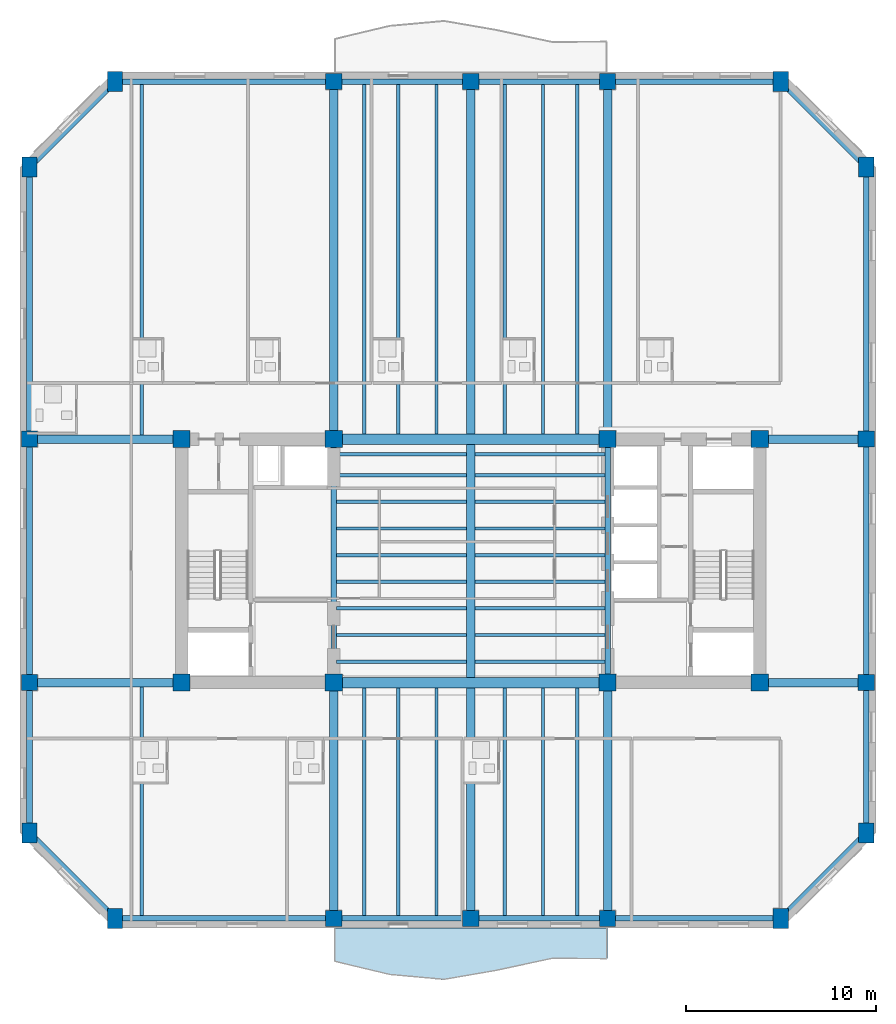
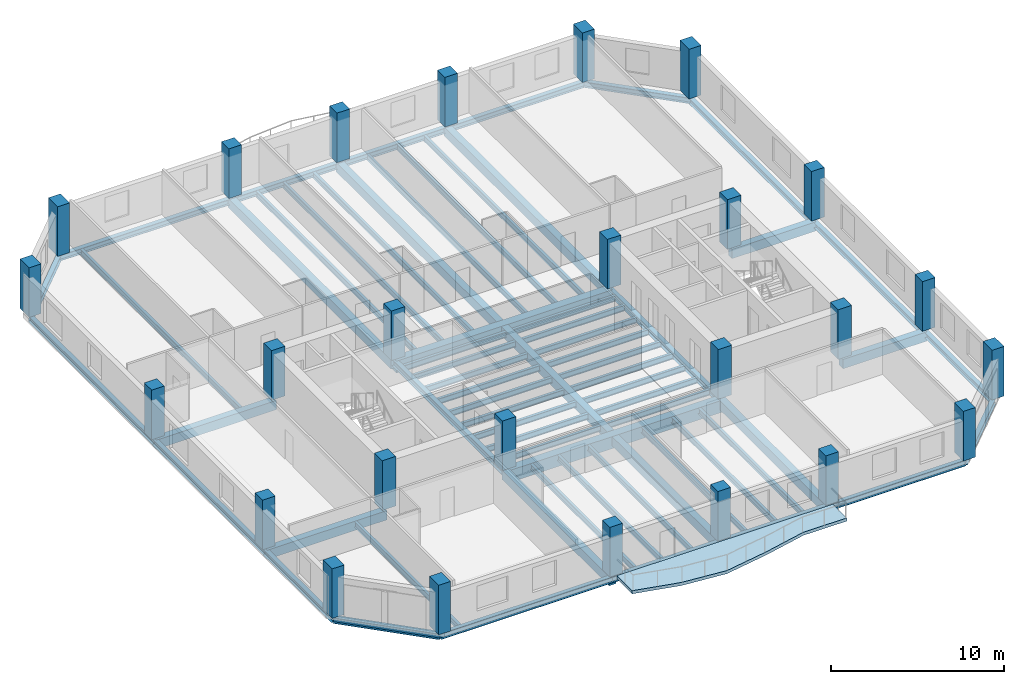
# One storey, part 1 of 11: 65 beams, 26 columns, 1 slab.
"""IFC4 building model written with IfcOpenShell, lengths in metres."""

from ifc_helpers import new_model, si_unit, direction, frame, origin, origin_2d, place, context, subcontext, project, spatial, polyline, rectangle, i_section, outline, extrude, material, layer, layer_set, material_profile, profile_set, type_object, element, save


model = new_model("IFC4")

# Units and contexts
model_context = context("Model", 3, precision=1e-05, world=origin(), true_north=direction((0.0, 1.0)))
body_context = subcontext(model_context, "Body", "Model", "MODEL_VIEW")
ifc_project = project(units=[si_unit("LENGTHUNIT", "METRE"), si_unit("AREAUNIT", "SQUARE_METRE"), si_unit("VOLUMEUNIT", "CUBIC_METRE"), si_unit("PLANEANGLEUNIT", "RADIAN"), si_unit("MASSUNIT", "GRAM", prefix="KILO")], contexts=[model_context])

# Site, building, storey
site_placement = place(None, origin())
site = spatial("IfcSite", under=ifc_project, at=site_placement, CompositionType="ELEMENT")
building_placement = place(site_placement, origin())
building = spatial("IfcBuilding", under=site, at=building_placement, Name="Kranthara Brick Stack", CompositionType="ELEMENT")
storey_placement = place(building_placement, frame((0.0, 0.0, 190.300048828125)))
storey = spatial("IfcBuildingStorey", under=building, at=storey_placement, Name="L49", CompositionType="ELEMENT", Elevation=190.300048828125)

# Columns
ifc_material_1 = material(Name="Concrete C60/75", Category="concrete")
ifc_material_profile_1 = material_profile(ifc_material_1, rectangle(XDim=0.800048828125, YDim=1.050048828125, at=origin_2d()), Name="RC 800x1050")
ifc_profile_set_1 = profile_set([ifc_material_profile_1], Name="Concrete C60/75")
column_type_1 = type_object("IfcColumnType", Name="COL-CHAM-800x1050", PredefinedType="COLUMN", material=ifc_profile_set_1)
for number, where, z_axis, x_axis, name in (
    (1, (9.300048828125, 8.39990234375, 0.0), (0.0, 0.0, 1.0), (1.0, 0.0, 0.0), "L49 Column 09"),
    (2, (9.300048828125, 52.39990234375, 0.0), (0.0, 0.0, 1.0), (1.0, 0.0, 0.0), "L49 Column 10"),
    (3, (44.300048828125, 8.39990234375, 0.0), (0.0, 0.0, 1.0), (1.0, 0.0, 0.0), "L49 Column 17"),
    (4, (44.300048828125, 52.39990234375, 0.0), (0.0, 0.0, 1.0), (1.0, 0.0, 0.0), "L49 Column 18"),
    (5, (4.800048828125, 12.89990234375, 0.0), (0.0, 0.0, 1.0), (1.0, 0.0, 0.0), "L49 Column 19"),
    (6, (48.800048828125, 12.89990234375, 0.0), (0.0, 0.0, 1.0), (1.0, 0.0, 0.0), "L49 Column 20"),
    (7, (4.800048828125, 47.89990234375, 0.0), (0.0, 0.0, 1.0), (1.0, 0.0, 0.0), "L49 Column 25"),
    (8, (48.800048828125, 47.89990234375, 0.0), (0.0, 0.0, 1.0), (1.0, 0.0, 0.0), "L49 Column 26"),
):
    element("IfcColumn", number, at=place(storey_placement, frame(where, z_axis=z_axis, x_axis=x_axis)), inside=storey, type_object=column_type_1, Name=name, PredefinedType="COLUMN", context=body_context, shape_type="SweptSolid", body=[
        extrude(rectangle(XDim=0.800048828125, YDim=1.050048828125, at=origin_2d()), origin(), (0.0, 0.0, 1.0), 3.5),
    ])
ifc_material_2 = material(Name="Concrete C60/75", Category="concrete")
ifc_material_profile_2 = material_profile(ifc_material_2, rectangle(XDim=0.89990234375, YDim=0.89990234375, at=origin_2d()), Name="RC 900x900")
ifc_profile_set_2 = profile_set([ifc_material_profile_2], Name="Concrete C60/75")
column_type_2 = type_object("IfcColumnType", Name="COL-CORE-900", PredefinedType="COLUMN", material=ifc_profile_set_2)
for number, where, z_axis, x_axis, name in (
    (9, (12.800048828125, 20.800048828125, 0.0), (0.0, 0.0, 1.0), (1.0, 0.0, 0.0), "L49 Column 01"),
    (10, (20.800048828125, 20.800048828125, 0.0), (0.0, 0.0, 1.0), (1.0, 0.0, 0.0), "L49 Column 02"),
    (11, (12.800048828125, 33.60009765625, 0.0), (0.0, 0.0, 1.0), (1.0, 0.0, 0.0), "L49 Column 03"),
    (12, (20.800048828125, 33.60009765625, 0.0), (0.0, 0.0, 1.0), (1.0, 0.0, 0.0), "L49 Column 04"),
    (13, (35.199951171875, 20.800048828125, 0.0), (0.0, 0.0, 1.0), (1.0, 0.0, 0.0), "L49 Column 05"),
    (14, (43.199951171875, 20.800048828125, 0.0), (0.0, 0.0, 1.0), (1.0, 0.0, 0.0), "L49 Column 06"),
    (15, (35.199951171875, 33.60009765625, 0.0), (0.0, 0.0, 1.0), (1.0, 0.0, 0.0), "L49 Column 07"),
    (16, (43.199951171875, 33.60009765625, 0.0), (0.0, 0.0, 1.0), (1.0, 0.0, 0.0), "L49 Column 08"),
):
    element("IfcColumn", number, at=place(storey_placement, frame(where, z_axis=z_axis, x_axis=x_axis)), inside=storey, type_object=column_type_2, Name=name, PredefinedType="COLUMN", context=body_context, shape_type="SweptSolid", body=[
        extrude(rectangle(XDim=0.89990234375, YDim=0.89990234375, at=origin_2d()), origin(), (0.0, 0.0, 1.0), 3.5),
    ])
ifc_material_3 = material(Name="Concrete C50/60", Category="concrete")
ifc_material_profile_3 = material_profile(ifc_material_3, rectangle(XDim=0.85009765625, YDim=0.85009765625, at=origin_2d()), Name="RC 850x850")
ifc_profile_set_3 = profile_set([ifc_material_profile_3], Name="Concrete C50/60")
column_type_3 = type_object("IfcColumnType", Name="COL-PER-850", PredefinedType="COLUMN", material=ifc_profile_set_3)
for number, where, z_axis, x_axis, name in (
    (17, (20.800048828125, 8.39990234375, 0.0), (0.0, 0.0, 1.0), (1.0, 0.0, 0.0), "L49 Column 11"),
    (18, (20.800048828125, 52.39990234375, 0.0), (0.0, 0.0, 1.0), (1.0, 0.0, 0.0), "L49 Column 12"),
    (19, (28.0, 8.39990234375, 0.0), (0.0, 0.0, 1.0), (1.0, 0.0, 0.0), "L49 Column 13"),
    (20, (28.0, 52.39990234375, 0.0), (0.0, 0.0, 1.0), (1.0, 0.0, 0.0), "L49 Column 14"),
    (21, (35.199951171875, 8.39990234375, 0.0), (0.0, 0.0, 1.0), (1.0, 0.0, 0.0), "L49 Column 15"),
    (22, (35.199951171875, 52.39990234375, 0.0), (0.0, 0.0, 1.0), (1.0, 0.0, 0.0), "L49 Column 16"),
    (23, (4.800048828125, 20.800048828125, 0.0), (0.0, 0.0, 1.0), (1.0, 0.0, 0.0), "L49 Column 21"),
    (24, (48.800048828125, 20.800048828125, 0.0), (0.0, 0.0, 1.0), (1.0, 0.0, 0.0), "L49 Column 22"),
    (25, (4.800048828125, 33.60009765625, 0.0), (0.0, 0.0, 1.0), (1.0, 0.0, 0.0), "L49 Column 23"),
    (26, (48.800048828125, 33.60009765625, 0.0), (0.0, 0.0, 1.0), (1.0, 0.0, 0.0), "L49 Column 24"),
):
    element("IfcColumn", number, at=place(storey_placement, frame(where, z_axis=z_axis, x_axis=x_axis)), inside=storey, type_object=column_type_3, Name=name, PredefinedType="COLUMN", context=body_context, shape_type="SweptSolid", body=[
        extrude(rectangle(XDim=0.85009765625, YDim=0.85009765625, at=origin_2d()), origin(), (0.0, 0.0, 1.0), 3.5),
    ])

# Beams
ifc_material_4 = material(Name="Concrete C50/60", Category="concrete")
ifc_material_profile_4 = material_profile(ifc_material_4, rectangle(XDim=0.550048828125, YDim=0.85009765625, at=origin_2d()), Name="RC 550x850")
ifc_profile_set_4 = profile_set([ifc_material_profile_4], Name="Concrete C50/60")
beam_type_1 = type_object("IfcBeamType", Name="BM-CPL-RC850", PredefinedType="LINTEL", material=ifc_profile_set_4)
for number, where, z_axis, x_axis, name in (
    (27, (20.800048828125, 20.800048828125, -0.72509765625), (1.0, 0.0, 0.0), (0.0, 1.0, 0.0), "L49 Core Coupling Beam 001"),
    (28, (20.800048828125, 33.60009765625, -0.72509765625), (1.0, 0.0, 0.0), (0.0, 1.0, 0.0), "L49 Core Coupling Beam 002"),
):
    element("IfcBeam", number, at=place(storey_placement, frame(where, z_axis=z_axis, x_axis=x_axis)), inside=storey, type_object=beam_type_1, Name=name, PredefinedType="LINTEL", context=body_context, shape_type="SweptSolid", body=[
        extrude(rectangle(XDim=0.550048828125, YDim=0.85009765625, at=origin_2d()), origin(), (0.0, 0.0, 1.0), 14.39990234375),
    ])
ifc_material_5 = material(Name="Post-tensioned concrete C45/55", Category="concrete")
ifc_material_profile_5 = material_profile(ifc_material_5, rectangle(XDim=0.449951171875, YDim=0.64990234375, at=origin_2d()), Name="PT 450x650")
ifc_profile_set_5 = profile_set([ifc_material_profile_5], Name="Post-tensioned concrete C45/55")
beam_type_2 = type_object("IfcBeamType", Name="BM-FLR-PT650", PredefinedType="BEAM", material=ifc_profile_set_5)
beam_1_placement = place(storey_placement, frame((20.800048828125, 8.39990234375, -0.625), z_axis=(0.0, 1.0, 0.0), x_axis=(-1.0, 0.0, 0.0)))
element("IfcBeam", 29, at=beam_1_placement, inside=storey, type_object=beam_type_2, Name="L49 Primary Grid Girder 023", PredefinedType="BEAM", context=body_context, shape_type="SweptSolid", body=[
    extrude(rectangle(XDim=0.449951171875, YDim=0.64990234375, at=origin_2d()), origin(), (0.0, 0.0, 1.0), 12.400146484375),
])
beam_2_placement = place(storey_placement, frame((20.800048828125, 33.60009765625, -0.625), z_axis=(0.0, 1.0, 0.0), x_axis=(-1.0, 0.0, 0.0)))
element("IfcBeam", 30, at=beam_2_placement, inside=storey, type_object=beam_type_2, Name="L49 Primary Grid Girder 024", PredefinedType="BEAM", context=body_context, shape_type="SweptSolid", body=[
    extrude(rectangle(XDim=0.449951171875, YDim=0.64990234375, at=origin_2d()), origin(), (0.0, 0.0, 1.0), 18.7998046875),
])
beam_3_placement = place(storey_placement, frame((28.0, 8.39990234375, -0.625), z_axis=(0.0, 1.0, 0.0), x_axis=(-1.0, 0.0, 0.0)))
element("IfcBeam", 31, at=beam_3_placement, inside=storey, type_object=beam_type_2, Name="L49 Primary Grid Girder 025", PredefinedType="BEAM", context=body_context, shape_type="SweptSolid", body=[
    extrude(rectangle(XDim=0.449951171875, YDim=0.64990234375, at=origin_2d()), origin(), (0.0, 0.0, 1.0), 12.125),
])
beam_4_placement = place(storey_placement, frame((28.0, 21.074951171875, -0.625), z_axis=(0.0, 1.0, 0.0), x_axis=(-1.0, 0.0, 0.0)))
element("IfcBeam", 32, at=beam_4_placement, inside=storey, type_object=beam_type_2, Name="L49 Central Spine Girder 026", PredefinedType="BEAM", context=body_context, shape_type="SweptSolid", body=[
    extrude(rectangle(XDim=0.449951171875, YDim=0.64990234375, at=origin_2d()), origin(), (0.0, 0.0, 1.0), 12.25),
])
beam_5_placement = place(storey_placement, frame((28.0, 33.875, -0.625), z_axis=(0.0, 1.0, 0.0), x_axis=(-1.0, 0.0, 0.0)))
element("IfcBeam", 33, at=beam_5_placement, inside=storey, type_object=beam_type_2, Name="L49 Primary Grid Girder 027", PredefinedType="BEAM", context=body_context, shape_type="SweptSolid", body=[
    extrude(rectangle(XDim=0.449951171875, YDim=0.64990234375, at=origin_2d()), origin(), (0.0, 0.0, 1.0), 18.52490234375),
])
beam_6_placement = place(storey_placement, frame((35.199951171875, 8.39990234375, -0.625), z_axis=(0.0, 1.0, 0.0), x_axis=(-1.0, 0.0, 0.0)))
element("IfcBeam", 34, at=beam_6_placement, inside=storey, type_object=beam_type_2, Name="L49 Primary Grid Girder 028", PredefinedType="BEAM", context=body_context, shape_type="SweptSolid", body=[
    extrude(rectangle(XDim=0.449951171875, YDim=0.64990234375, at=origin_2d()), origin(), (0.0, 0.0, 1.0), 12.400146484375),
])
beam_7_placement = place(storey_placement, frame((35.199951171875, 33.60009765625, -0.625), z_axis=(0.0, 1.0, 0.0), x_axis=(-1.0, 0.0, 0.0)))
element("IfcBeam", 35, at=beam_7_placement, inside=storey, type_object=beam_type_2, Name="L49 Primary Grid Girder 029", PredefinedType="BEAM", context=body_context, shape_type="SweptSolid", body=[
    extrude(rectangle(XDim=0.449951171875, YDim=0.64990234375, at=origin_2d()), origin(), (0.0, 0.0, 1.0), 18.7998046875),
])
beam_8_placement = place(storey_placement, frame((4.800048828125, 20.800048828125, -0.625), z_axis=(1.0, 0.0, 0.0), x_axis=(0.0, 1.0, 0.0)))
element("IfcBeam", 36, at=beam_8_placement, inside=storey, type_object=beam_type_2, Name="L49 Primary Grid Girder 030", PredefinedType="BEAM", context=body_context, shape_type="SweptSolid", body=[
    extrude(rectangle(XDim=0.449951171875, YDim=0.64990234375, at=origin_2d()), origin(), (0.0, 0.0, 1.0), 8.0),
])
beam_9_placement = place(storey_placement, frame((43.199951171875, 20.800048828125, -0.625), z_axis=(1.0, 0.0, 0.0), x_axis=(0.0, 1.0, 0.0)))
element("IfcBeam", 37, at=beam_9_placement, inside=storey, type_object=beam_type_2, Name="L49 Primary Grid Girder 031", PredefinedType="BEAM", context=body_context, shape_type="SweptSolid", body=[
    extrude(rectangle(XDim=0.449951171875, YDim=0.64990234375, at=origin_2d()), origin(), (0.0, 0.0, 1.0), 5.60009765625),
])
beam_10_placement = place(storey_placement, frame((4.800048828125, 33.60009765625, -0.625), z_axis=(1.0, 0.0, 0.0), x_axis=(0.0, 1.0, 0.0)))
element("IfcBeam", 38, at=beam_10_placement, inside=storey, type_object=beam_type_2, Name="L49 Primary Grid Girder 032", PredefinedType="BEAM", context=body_context, shape_type="SweptSolid", body=[
    extrude(rectangle(XDim=0.449951171875, YDim=0.64990234375, at=origin_2d()), origin(), (0.0, 0.0, 1.0), 8.0),
])
beam_11_placement = place(storey_placement, frame((43.199951171875, 33.60009765625, -0.625), z_axis=(1.0, 0.0, 0.0), x_axis=(0.0, 1.0, 0.0)))
element("IfcBeam", 39, at=beam_11_placement, inside=storey, type_object=beam_type_2, Name="L49 Primary Grid Girder 033", PredefinedType="BEAM", context=body_context, shape_type="SweptSolid", body=[
    extrude(rectangle(XDim=0.449951171875, YDim=0.64990234375, at=origin_2d()), origin(), (0.0, 0.0, 1.0), 5.60009765625),
])
ifc_material_6 = material(Name="Steel S355", Category="steel")
ifc_material_profile_6 = material_profile(ifc_material_6, i_section(OverallWidth=0.179931640625, OverallDepth=0.39990234375, WebThickness=0.008544921875, FlangeThickness=0.013427734375, at=origin_2d()), Name="IPE 400")
ifc_profile_set_6 = profile_set([ifc_material_profile_6], Name="Steel S355")
beam_type_3 = type_object("IfcBeamType", Name="BM-JST-IPE400", PredefinedType="JOIST", material=ifc_profile_set_6)
for number, where, z_axis, x_axis, name in (
    (40, (20.949951171875, 21.89990234375, -0.5), (1.0, 0.0, 0.0), (0.0, 1.0, 0.0), "L49 Central Floor Joist 034"),
    (41, (28.22509765625, 21.89990234375, -0.5), (1.0, 0.0, 0.0), (0.0, 1.0, 0.0), "L49 Central Floor Joist 035"),
    (42, (20.949951171875, 23.300048828125, -0.5), (1.0, 0.0, 0.0), (0.0, 1.0, 0.0), "L49 Central Floor Joist 036"),
    (43, (28.22509765625, 23.300048828125, -0.5), (1.0, 0.0, 0.0), (0.0, 1.0, 0.0), "L49 Central Floor Joist 037"),
    (44, (20.949951171875, 24.699951171875, -0.5), (1.0, 0.0, 0.0), (0.0, 1.0, 0.0), "L49 Central Floor Joist 038"),
    (45, (28.22509765625, 24.699951171875, -0.5), (1.0, 0.0, 0.0), (0.0, 1.0, 0.0), "L49 Central Floor Joist 039"),
    (46, (20.949951171875, 26.10009765625, -0.5), (1.0, 0.0, 0.0), (0.0, 1.0, 0.0), "L49 Central Floor Joist 040"),
    (47, (28.22509765625, 26.10009765625, -0.5), (1.0, 0.0, 0.0), (0.0, 1.0, 0.0), "L49 Central Floor Joist 041"),
    (48, (20.949951171875, 27.5, -0.5), (1.0, 0.0, 0.0), (0.0, 1.0, 0.0), "L49 Central Floor Joist 042"),
    (49, (28.22509765625, 27.5, -0.5), (1.0, 0.0, 0.0), (0.0, 1.0, 0.0), "L49 Central Floor Joist 043"),
    (50, (20.949951171875, 28.89990234375, -0.5), (1.0, 0.0, 0.0), (0.0, 1.0, 0.0), "L49 Central Floor Joist 044"),
    (51, (28.22509765625, 28.89990234375, -0.5), (1.0, 0.0, 0.0), (0.0, 1.0, 0.0), "L49 Central Floor Joist 045"),
    (52, (20.949951171875, 30.300048828125, -0.5), (1.0, 0.0, 0.0), (0.0, 1.0, 0.0), "L49 Central Floor Joist 046"),
    (53, (28.22509765625, 30.300048828125, -0.5), (1.0, 0.0, 0.0), (0.0, 1.0, 0.0), "L49 Central Floor Joist 047"),
    (54, (20.949951171875, 31.699951171875, -0.5), (1.0, 0.0, 0.0), (0.0, 1.0, 0.0), "L49 Central Floor Joist 048"),
    (55, (28.22509765625, 31.699951171875, -0.5), (1.0, 0.0, 0.0), (0.0, 1.0, 0.0), "L49 Central Floor Joist 049"),
    (56, (20.949951171875, 32.800048828125, -0.5), (1.0, 0.0, 0.0), (0.0, 1.0, 0.0), "L49 Central Floor Joist 050"),
    (57, (28.22509765625, 32.800048828125, -0.5), (1.0, 0.0, 0.0), (0.0, 1.0, 0.0), "L49 Central Floor Joist 051"),
):
    element("IfcBeam", number, at=place(storey_placement, frame(where, z_axis=z_axis, x_axis=x_axis)), inside=storey, type_object=beam_type_3, Name=name, PredefinedType="JOIST", context=body_context, shape_type="SweptSolid", body=[
        extrude(i_section(OverallWidth=0.179931640625, OverallDepth=0.39990234375, WebThickness=0.008544921875, FlangeThickness=0.013427734375, at=origin_2d()), origin(), (0.0, 0.0, 1.0), 6.824951171875),
    ])
beam_12_placement = place(storey_placement, frame((10.699951171875, 8.550048828125, -0.5), z_axis=(0.0, 1.0, 0.0), x_axis=(-1.0, 0.0, 0.0)))
element("IfcBeam", 58, at=beam_12_placement, inside=storey, type_object=beam_type_3, Name="L49 South Wing Floor Joist 052", PredefinedType="JOIST", context=body_context, shape_type="SweptSolid", body=[
    extrude(i_section(OverallWidth=0.179931640625, OverallDepth=0.39990234375, WebThickness=0.008544921875, FlangeThickness=0.013427734375, at=origin_2d()), origin(), (0.0, 0.0, 1.0), 12.02490234375),
])
beam_13_placement = place(storey_placement, frame((10.699951171875, 33.824951171875, -0.5), z_axis=(0.0, 1.0, 0.0), x_axis=(-1.0, 0.0, 0.0)))
element("IfcBeam", 59, at=beam_13_placement, inside=storey, type_object=beam_type_3, Name="L49 North Wing Floor Joist 053", PredefinedType="JOIST", context=body_context, shape_type="SweptSolid", body=[
    extrude(i_section(OverallWidth=0.179931640625, OverallDepth=0.39990234375, WebThickness=0.008544921875, FlangeThickness=0.013427734375, at=origin_2d()), origin(), (0.0, 0.0, 1.0), 18.425048828125),
])
beam_14_placement = place(storey_placement, frame((22.39990234375, 8.550048828125, -0.5), z_axis=(0.0, 1.0, 0.0), x_axis=(-1.0, 0.0, 0.0)))
element("IfcBeam", 60, at=beam_14_placement, inside=storey, type_object=beam_type_3, Name="L49 South Wing Floor Joist 054", PredefinedType="JOIST", context=body_context, shape_type="SweptSolid", body=[
    extrude(i_section(OverallWidth=0.179931640625, OverallDepth=0.39990234375, WebThickness=0.008544921875, FlangeThickness=0.013427734375, at=origin_2d()), origin(), (0.0, 0.0, 1.0), 11.974853515625),
])
beam_15_placement = place(storey_placement, frame((22.39990234375, 33.875, -0.5), z_axis=(0.0, 1.0, 0.0), x_axis=(-1.0, 0.0, 0.0)))
element("IfcBeam", 61, at=beam_15_placement, inside=storey, type_object=beam_type_3, Name="L49 North Wing Floor Joist 055", PredefinedType="JOIST", context=body_context, shape_type="SweptSolid", body=[
    extrude(i_section(OverallWidth=0.179931640625, OverallDepth=0.39990234375, WebThickness=0.008544921875, FlangeThickness=0.013427734375, at=origin_2d()), origin(), (0.0, 0.0, 1.0), 18.375),
])
beam_16_placement = place(storey_placement, frame((24.199951171875, 8.550048828125, -0.5), z_axis=(0.0, 1.0, 0.0), x_axis=(-1.0, 0.0, 0.0)))
element("IfcBeam", 62, at=beam_16_placement, inside=storey, type_object=beam_type_3, Name="L49 South Wing Floor Joist 056", PredefinedType="JOIST", context=body_context, shape_type="SweptSolid", body=[
    extrude(i_section(OverallWidth=0.179931640625, OverallDepth=0.39990234375, WebThickness=0.008544921875, FlangeThickness=0.013427734375, at=origin_2d()), origin(), (0.0, 0.0, 1.0), 11.974853515625),
])
beam_17_placement = place(storey_placement, frame((24.199951171875, 33.875, -0.5), z_axis=(0.0, 1.0, 0.0), x_axis=(-1.0, 0.0, 0.0)))
element("IfcBeam", 63, at=beam_17_placement, inside=storey, type_object=beam_type_3, Name="L49 North Wing Floor Joist 057", PredefinedType="JOIST", context=body_context, shape_type="SweptSolid", body=[
    extrude(i_section(OverallWidth=0.179931640625, OverallDepth=0.39990234375, WebThickness=0.008544921875, FlangeThickness=0.013427734375, at=origin_2d()), origin(), (0.0, 0.0, 1.0), 18.375),
])
beam_18_placement = place(storey_placement, frame((26.199951171875, 8.550048828125, -0.5), z_axis=(0.0, 1.0, 0.0), x_axis=(-1.0, 0.0, 0.0)))
element("IfcBeam", 64, at=beam_18_placement, inside=storey, type_object=beam_type_3, Name="L49 South Wing Floor Joist 058", PredefinedType="JOIST", context=body_context, shape_type="SweptSolid", body=[
    extrude(i_section(OverallWidth=0.179931640625, OverallDepth=0.39990234375, WebThickness=0.008544921875, FlangeThickness=0.013427734375, at=origin_2d()), origin(), (0.0, 0.0, 1.0), 11.974853515625),
])
beam_19_placement = place(storey_placement, frame((26.199951171875, 33.875, -0.5), z_axis=(0.0, 1.0, 0.0), x_axis=(-1.0, 0.0, 0.0)))
element("IfcBeam", 65, at=beam_19_placement, inside=storey, type_object=beam_type_3, Name="L49 North Wing Floor Joist 059", PredefinedType="JOIST", context=body_context, shape_type="SweptSolid", body=[
    extrude(i_section(OverallWidth=0.179931640625, OverallDepth=0.39990234375, WebThickness=0.008544921875, FlangeThickness=0.013427734375, at=origin_2d()), origin(), (0.0, 0.0, 1.0), 18.375),
])
beam_20_placement = place(storey_placement, frame((29.800048828125, 8.550048828125, -0.5), z_axis=(0.0, 1.0, 0.0), x_axis=(-1.0, 0.0, 0.0)))
element("IfcBeam", 66, at=beam_20_placement, inside=storey, type_object=beam_type_3, Name="L49 South Wing Floor Joist 060", PredefinedType="JOIST", context=body_context, shape_type="SweptSolid", body=[
    extrude(i_section(OverallWidth=0.179931640625, OverallDepth=0.39990234375, WebThickness=0.008544921875, FlangeThickness=0.013427734375, at=origin_2d()), origin(), (0.0, 0.0, 1.0), 11.974853515625),
])
beam_21_placement = place(storey_placement, frame((29.800048828125, 33.875, -0.5), z_axis=(0.0, 1.0, 0.0), x_axis=(-1.0, 0.0, 0.0)))
element("IfcBeam", 67, at=beam_21_placement, inside=storey, type_object=beam_type_3, Name="L49 North Wing Floor Joist 061", PredefinedType="JOIST", context=body_context, shape_type="SweptSolid", body=[
    extrude(i_section(OverallWidth=0.179931640625, OverallDepth=0.39990234375, WebThickness=0.008544921875, FlangeThickness=0.013427734375, at=origin_2d()), origin(), (0.0, 0.0, 1.0), 18.375),
])
beam_22_placement = place(storey_placement, frame((31.800048828125, 8.550048828125, -0.5), z_axis=(0.0, 1.0, 0.0), x_axis=(-1.0, 0.0, 0.0)))
element("IfcBeam", 68, at=beam_22_placement, inside=storey, type_object=beam_type_3, Name="L49 South Wing Floor Joist 062", PredefinedType="JOIST", context=body_context, shape_type="SweptSolid", body=[
    extrude(i_section(OverallWidth=0.179931640625, OverallDepth=0.39990234375, WebThickness=0.008544921875, FlangeThickness=0.013427734375, at=origin_2d()), origin(), (0.0, 0.0, 1.0), 11.974853515625),
])
beam_23_placement = place(storey_placement, frame((31.800048828125, 33.875, -0.5), z_axis=(0.0, 1.0, 0.0), x_axis=(-1.0, 0.0, 0.0)))
element("IfcBeam", 69, at=beam_23_placement, inside=storey, type_object=beam_type_3, Name="L49 North Wing Floor Joist 063", PredefinedType="JOIST", context=body_context, shape_type="SweptSolid", body=[
    extrude(i_section(OverallWidth=0.179931640625, OverallDepth=0.39990234375, WebThickness=0.008544921875, FlangeThickness=0.013427734375, at=origin_2d()), origin(), (0.0, 0.0, 1.0), 18.375),
])
beam_24_placement = place(storey_placement, frame((33.60009765625, 8.550048828125, -0.5), z_axis=(0.0, 1.0, 0.0), x_axis=(-1.0, 0.0, 0.0)))
element("IfcBeam", 70, at=beam_24_placement, inside=storey, type_object=beam_type_3, Name="L49 South Wing Floor Joist 064", PredefinedType="JOIST", context=body_context, shape_type="SweptSolid", body=[
    extrude(i_section(OverallWidth=0.179931640625, OverallDepth=0.39990234375, WebThickness=0.008544921875, FlangeThickness=0.013427734375, at=origin_2d()), origin(), (0.0, 0.0, 1.0), 11.974853515625),
])
beam_25_placement = place(storey_placement, frame((33.60009765625, 33.875, -0.5), z_axis=(0.0, 1.0, 0.0), x_axis=(-1.0, 0.0, 0.0)))
element("IfcBeam", 71, at=beam_25_placement, inside=storey, type_object=beam_type_3, Name="L49 North Wing Floor Joist 065", PredefinedType="JOIST", context=body_context, shape_type="SweptSolid", body=[
    extrude(i_section(OverallWidth=0.179931640625, OverallDepth=0.39990234375, WebThickness=0.008544921875, FlangeThickness=0.013427734375, at=origin_2d()), origin(), (0.0, 0.0, 1.0), 18.375),
])
ifc_material_7 = material(Name="Steel S355", Category="steel")
ifc_material_profile_7 = material_profile(ifc_material_7, i_section(OverallWidth=0.300048828125, OverallDepth=0.39990234375, WebThickness=0.013427734375, FlangeThickness=0.02392578125, at=origin_2d()), Name="HEB 400")
ifc_profile_set_7 = profile_set([ifc_material_profile_7], Name="Steel S355")
beam_type_4 = type_object("IfcBeamType", Name="BM-STL-HEB400", PredefinedType="SPANDREL", material=ifc_profile_set_7)
beam_26_placement = place(storey_placement, frame((9.300048828125, 8.39990234375, -0.5), z_axis=(1.0, 0.0, 0.0), x_axis=(0.0, 1.0, 0.0)))
element("IfcBeam", 72, at=beam_26_placement, inside=storey, type_object=beam_type_4, Name="L49 Perimeter Spandrel Beam 005", PredefinedType="SPANDREL", context=body_context, shape_type="SweptSolid", body=[
    extrude(i_section(OverallWidth=0.300048828125, OverallDepth=0.39990234375, WebThickness=0.013427734375, FlangeThickness=0.02392578125, at=origin_2d()), origin(), (0.0, 0.0, 1.0), 11.5),
])
for number, where, z_axis, x_axis, name in (
    (73, (20.800048828125, 8.39990234375, -0.5), (1.0, 0.0, 0.0), (0.0, 1.0, 0.0), "L49 Perimeter Spandrel Beam 006"),
    (74, (28.0, 8.39990234375, -0.5), (1.0, 0.0, 0.0), (0.0, 1.0, 0.0), "L49 Perimeter Spandrel Beam 007"),
):
    element("IfcBeam", number, at=place(storey_placement, frame(where, z_axis=z_axis, x_axis=x_axis)), inside=storey, type_object=beam_type_4, Name=name, PredefinedType="SPANDREL", context=body_context, shape_type="SweptSolid", body=[
        extrude(i_section(OverallWidth=0.300048828125, OverallDepth=0.39990234375, WebThickness=0.013427734375, FlangeThickness=0.02392578125, at=origin_2d()), origin(), (0.0, 0.0, 1.0), 7.199951171875),
    ])
beam_27_placement = place(storey_placement, frame((35.199951171875, 8.39990234375, -0.5), z_axis=(1.0, 0.0, 0.0), x_axis=(0.0, 1.0, 0.0)))
element("IfcBeam", 75, at=beam_27_placement, inside=storey, type_object=beam_type_4, Name="L49 Perimeter Spandrel Beam 008", PredefinedType="SPANDREL", context=body_context, shape_type="SweptSolid", body=[
    extrude(i_section(OverallWidth=0.300048828125, OverallDepth=0.39990234375, WebThickness=0.013427734375, FlangeThickness=0.02392578125, at=origin_2d()), origin(), (0.0, 0.0, 1.0), 9.10009765625),
])
beam_28_placement = place(storey_placement, frame((9.300048828125, 52.39990234375, -0.5), z_axis=(1.0, 0.0, 0.0), x_axis=(0.0, 1.0, 0.0)))
element("IfcBeam", 76, at=beam_28_placement, inside=storey, type_object=beam_type_4, Name="L49 Perimeter Spandrel Beam 009", PredefinedType="SPANDREL", context=body_context, shape_type="SweptSolid", body=[
    extrude(i_section(OverallWidth=0.300048828125, OverallDepth=0.39990234375, WebThickness=0.013427734375, FlangeThickness=0.02392578125, at=origin_2d()), origin(), (0.0, 0.0, 1.0), 11.5),
])
for number, where, z_axis, x_axis, name in (
    (77, (20.800048828125, 52.39990234375, -0.5), (1.0, 0.0, 0.0), (0.0, 1.0, 0.0), "L49 Perimeter Spandrel Beam 010"),
    (78, (28.0, 52.39990234375, -0.5), (1.0, 0.0, 0.0), (0.0, 1.0, 0.0), "L49 Perimeter Spandrel Beam 011"),
):
    element("IfcBeam", number, at=place(storey_placement, frame(where, z_axis=z_axis, x_axis=x_axis)), inside=storey, type_object=beam_type_4, Name=name, PredefinedType="SPANDREL", context=body_context, shape_type="SweptSolid", body=[
        extrude(i_section(OverallWidth=0.300048828125, OverallDepth=0.39990234375, WebThickness=0.013427734375, FlangeThickness=0.02392578125, at=origin_2d()), origin(), (0.0, 0.0, 1.0), 7.199951171875),
    ])
beam_29_placement = place(storey_placement, frame((35.199951171875, 52.39990234375, -0.5), z_axis=(1.0, 0.0, 0.0), x_axis=(0.0, 1.0, 0.0)))
element("IfcBeam", 79, at=beam_29_placement, inside=storey, type_object=beam_type_4, Name="L49 Perimeter Spandrel Beam 012", PredefinedType="SPANDREL", context=body_context, shape_type="SweptSolid", body=[
    extrude(i_section(OverallWidth=0.300048828125, OverallDepth=0.39990234375, WebThickness=0.013427734375, FlangeThickness=0.02392578125, at=origin_2d()), origin(), (0.0, 0.0, 1.0), 9.10009765625),
])
beam_30_placement = place(storey_placement, frame((4.800048828125, 12.89990234375, -0.5), z_axis=(0.0, 1.0, 0.0), x_axis=(-1.0, 0.0, 0.0)))
element("IfcBeam", 80, at=beam_30_placement, inside=storey, type_object=beam_type_4, Name="L49 Perimeter Spandrel Beam 013", PredefinedType="SPANDREL", context=body_context, shape_type="SweptSolid", body=[
    extrude(i_section(OverallWidth=0.300048828125, OverallDepth=0.39990234375, WebThickness=0.013427734375, FlangeThickness=0.02392578125, at=origin_2d()), origin(), (0.0, 0.0, 1.0), 7.900146484375),
])
beam_31_placement = place(storey_placement, frame((4.800048828125, 20.800048828125, -0.5), z_axis=(0.0, 1.0, 0.0), x_axis=(-1.0, 0.0, 0.0)))
element("IfcBeam", 81, at=beam_31_placement, inside=storey, type_object=beam_type_4, Name="L49 Perimeter Spandrel Beam 014", PredefinedType="SPANDREL", context=body_context, shape_type="SweptSolid", body=[
    extrude(i_section(OverallWidth=0.300048828125, OverallDepth=0.39990234375, WebThickness=0.013427734375, FlangeThickness=0.02392578125, at=origin_2d()), origin(), (0.0, 0.0, 1.0), 12.800048828125),
])
beam_32_placement = place(storey_placement, frame((4.800048828125, 33.60009765625, -0.5), z_axis=(0.0, 1.0, 0.0), x_axis=(-1.0, 0.0, 0.0)))
element("IfcBeam", 82, at=beam_32_placement, inside=storey, type_object=beam_type_4, Name="L49 Perimeter Spandrel Beam 015", PredefinedType="SPANDREL", context=body_context, shape_type="SweptSolid", body=[
    extrude(i_section(OverallWidth=0.300048828125, OverallDepth=0.39990234375, WebThickness=0.013427734375, FlangeThickness=0.02392578125, at=origin_2d()), origin(), (0.0, 0.0, 1.0), 14.2998046875),
])
beam_33_placement = place(storey_placement, frame((48.800048828125, 12.89990234375, -0.5), z_axis=(0.0, 1.0, 0.0), x_axis=(-1.0, 0.0, 0.0)))
element("IfcBeam", 83, at=beam_33_placement, inside=storey, type_object=beam_type_4, Name="L49 Perimeter Spandrel Beam 016", PredefinedType="SPANDREL", context=body_context, shape_type="SweptSolid", body=[
    extrude(i_section(OverallWidth=0.300048828125, OverallDepth=0.39990234375, WebThickness=0.013427734375, FlangeThickness=0.02392578125, at=origin_2d()), origin(), (0.0, 0.0, 1.0), 7.900146484375),
])
beam_34_placement = place(storey_placement, frame((48.800048828125, 20.800048828125, -0.5), z_axis=(0.0, 1.0, 0.0), x_axis=(-1.0, 0.0, 0.0)))
element("IfcBeam", 84, at=beam_34_placement, inside=storey, type_object=beam_type_4, Name="L49 Perimeter Spandrel Beam 017", PredefinedType="SPANDREL", context=body_context, shape_type="SweptSolid", body=[
    extrude(i_section(OverallWidth=0.300048828125, OverallDepth=0.39990234375, WebThickness=0.013427734375, FlangeThickness=0.02392578125, at=origin_2d()), origin(), (0.0, 0.0, 1.0), 12.800048828125),
])
beam_35_placement = place(storey_placement, frame((48.800048828125, 33.60009765625, -0.5), z_axis=(0.0, 1.0, 0.0), x_axis=(-1.0, 0.0, 0.0)))
element("IfcBeam", 85, at=beam_35_placement, inside=storey, type_object=beam_type_4, Name="L49 Perimeter Spandrel Beam 018", PredefinedType="SPANDREL", context=body_context, shape_type="SweptSolid", body=[
    extrude(i_section(OverallWidth=0.300048828125, OverallDepth=0.39990234375, WebThickness=0.013427734375, FlangeThickness=0.02392578125, at=origin_2d()), origin(), (0.0, 0.0, 1.0), 14.2998046875),
])
for number, where, z_axis, x_axis, name in (
    (86, (9.300048828125, 8.39990234375, -0.5), (-0.707106781187, 0.707106781187, 0.0), (-0.707106781187, -0.707106781187, 0.0), "L49 Chamfer Corner Spandrel 019"),
    (87, (44.300048828125, 8.39990234375, -0.5), (0.707106781187, 0.707106781187, 0.0), (-0.707106781187, 0.707106781187, 0.0), "L49 Chamfer Corner Spandrel 020"),
    (88, (9.300048828125, 52.39990234375, -0.5), (-0.707106781187, -0.707106781187, 0.0), (0.707106781187, -0.707106781187, 0.0), "L49 Chamfer Corner Spandrel 021"),
    (89, (44.300048828125, 52.39990234375, -0.5), (0.707106781187, -0.707106781187, 0.0), (0.707106781187, 0.707106781187, 0.0), "L49 Chamfer Corner Spandrel 022"),
):
    element("IfcBeam", number, at=place(storey_placement, frame(where, z_axis=z_axis, x_axis=x_axis)), inside=storey, type_object=beam_type_4, Name=name, PredefinedType="SPANDREL", context=body_context, shape_type="SweptSolid", body=[
        extrude(i_section(OverallWidth=0.300048828125, OverallDepth=0.39990234375, WebThickness=0.013427734375, FlangeThickness=0.02392578125, at=origin_2d()), origin(), (0.0, 0.0, 1.0), 6.364013671875),
    ])
ifc_material_8 = material(Name="Steel S355", Category="steel")
ifc_material_profile_8 = material_profile(ifc_material_8, i_section(OverallWidth=0.300048828125, OverallDepth=0.449951171875, WebThickness=0.013916015625, FlangeThickness=0.02587890625, at=origin_2d()), Name="HEB 450")
ifc_profile_set_8 = profile_set([ifc_material_profile_8], Name="Steel S355")
beam_type_5 = type_object("IfcBeamType", Name="BM-STL-HEB450", PredefinedType="SPANDREL", material=ifc_profile_set_8)
for number, where, z_axis, x_axis, name in (
    (90, (20.800048828125, 20.800048828125, -0.525146484375), (0.0, 1.0, 0.0), (-1.0, 0.0, 0.0), "L49 Core Edge Tie Beam 003"),
    (91, (35.199951171875, 20.800048828125, -0.525146484375), (0.0, 1.0, 0.0), (-1.0, 0.0, 0.0), "L49 Core Edge Tie Beam 004"),
):
    element("IfcBeam", number, at=place(storey_placement, frame(where, z_axis=z_axis, x_axis=x_axis)), inside=storey, type_object=beam_type_5, Name=name, PredefinedType="SPANDREL", context=body_context, shape_type="SweptSolid", body=[
        extrude(i_section(OverallWidth=0.300048828125, OverallDepth=0.449951171875, WebThickness=0.013916015625, FlangeThickness=0.02587890625, at=origin_2d()), origin(), (0.0, 0.0, 1.0), 12.800048828125),
    ])

# Slab
ifc_material_9 = material(Name="Concrete C45/55", Category="concrete")
ifc_layer = layer(ifc_material_9, 0.219970703125)
ifc_layer_set = layer_set([ifc_layer], Name="Concrete C45/55")
slab_type = type_object("IfcSlabType", Name="SLB-BALC-220", PredefinedType="FLOOR", material=ifc_layer_set)
slab_placement = place(storey_placement, frame((0.0, 0.0, -0.219970703125)))
element("IfcSlab", 92, at=slab_placement, inside=storey, type_object=slab_type, Name="L49 South Rippling Balcony Slab", PredefinedType="FLOOR", context=body_context, shape_type="SweptSolid", body=[
    extrude(outline(polyline([(20.800048828125, 7.89990234375), (35.199951171875, 7.89990234375), (35.199951171875, 6.28662109375), (32.320068359375, 6.29833984375), (29.43994140625, 5.65185546875), (26.56005859375, 5.160400390625), (23.679931640625, 5.44189453125), (20.800048828125, 6.142333984375), (20.800048828125, 7.89990234375)])), origin(), (0.0, 0.0, 1.0), 0.219970703125),
])

save(model, "model.ifc")
